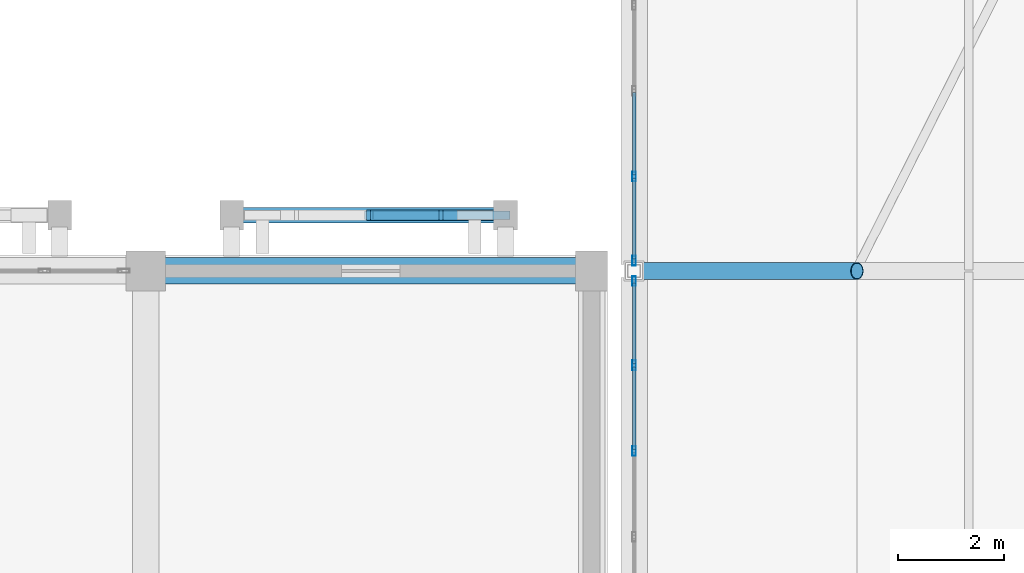
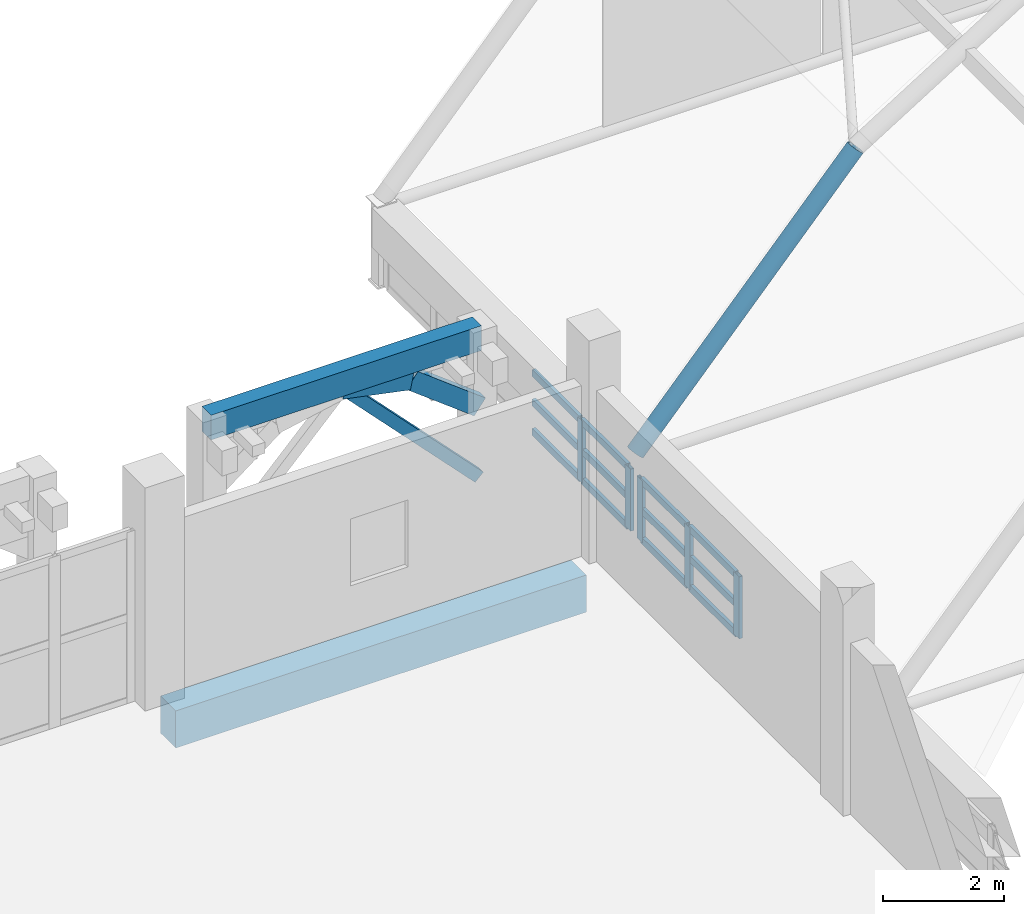
# One storey, part 63 of 114: 20 members, 3 beams, 2 elements without a shape of their own.
"""IFC4 building model written with IfcOpenShell, lengths in metres."""

from ifc_helpers import new_model, si_unit, direction, frame, origin, origin_2d, place, context, subcontext, project, spatial, rectangle, hollow_rectangle, hollow_circle, extrude, material, layer, layer_set, material_profile, profile_set, type_object, element, aggregate, save


model = new_model("IFC4")

# Units and contexts
model_context = context("Model", 3, precision=1e-05, world=origin(), true_north=direction((0.0, 1.0)))
body_context = subcontext(model_context, "Body", "Model", "MODEL_VIEW")
ifc_project = project(units=[si_unit("LENGTHUNIT", "METRE"), si_unit("AREAUNIT", "SQUARE_METRE"), si_unit("VOLUMEUNIT", "CUBIC_METRE"), si_unit("PLANEANGLEUNIT", "RADIAN"), si_unit("MASSUNIT", "GRAM", prefix="KILO")], contexts=[model_context])

# Site, building, storey
site_placement = place(None, origin())
site = spatial("IfcSite", under=ifc_project, at=site_placement, CompositionType="ELEMENT")
building_placement = place(site_placement, origin())
building = spatial("IfcBuilding", under=site, at=building_placement, Name="Xazarin Passage Department Store", CompositionType="ELEMENT")
storey_placement = place(building_placement, frame((0.0, 0.0, 14.39990234375)))
storey = spatial("IfcBuildingStorey", under=building, at=storey_placement, Name="L03", CompositionType="ELEMENT", Elevation=14.39990234375)

# Curtain wall, members
ifc_material_1 = material(Name="Bronze anodised aluminium", Category="aluminium")
ifc_layer = layer(ifc_material_1, 0.159912109375)
ifc_layer_set = layer_set([ifc_layer], Name="Bronze anodised aluminium")
curtain_wall_type = type_object("IfcCurtainWallType", Name="ARC-CW-ARC1", PredefinedType="NOTDEFINED", material=ifc_layer_set)
curtain_wall_1_placement = place(storey_placement, origin())
curtain_wall_1 = element("IfcCurtainWall", 1, at=curtain_wall_1_placement, inside=storey, type_object=curtain_wall_type, Name="L03 V2N Galleria Clerestory Curtain Wall 4W", PredefinedType="NOTDEFINED")
ifc_material_profile_1 = material_profile(ifc_material_1, hollow_rectangle(XDim=0.06494140625, YDim=0.179931640625, WallThickness=0.00390625, at=origin_2d()), Name="ALU 65x180")
ifc_profile_set_1 = profile_set([ifc_material_profile_1], Name="Bronze anodised aluminium")
member_type_1 = type_object("IfcMemberType", Name="ARC-CWM-65x180", PredefinedType="MULLION", material=ifc_profile_set_1)
member_1_placement = place(storey_placement, frame((68.0, 81.407958984375, 0.0), z_axis=(0.0, 0.0, 1.0), x_axis=(-1.0, 0.0, 0.0)))
member_1 = element("IfcMember", 2, at=member_1_placement, type_object=member_type_1, Name="CW3 mullion 4", PredefinedType="MULLION", context=body_context, shape_type="SweptSolid", body=[
    extrude(hollow_rectangle(XDim=0.06494140625, YDim=0.179931640625, WallThickness=0.00390625, at=origin_2d()), origin(), (0.0, 0.0, 1.0), 1.251708984375),
])
member_2_placement = place(storey_placement, frame((68.0, 83.02392578125, 0.0), z_axis=(0.0, 0.0, 1.0), x_axis=(-1.0, 0.0, 0.0)))
member_2 = element("IfcMember", 3, at=member_2_placement, type_object=member_type_1, Name="CW3 mullion 5", PredefinedType="MULLION", context=body_context, shape_type="SweptSolid", body=[
    extrude(hollow_rectangle(XDim=0.06494140625, YDim=0.179931640625, WallThickness=0.00390625, at=origin_2d()), origin(), (0.0, 0.0, 1.0), 1.251708984375),
])
member_3_placement = place(storey_placement, frame((68.0, 84.607421875, 0.0), z_axis=(0.0, 0.0, 1.0), x_axis=(-1.0, 0.0, 0.0)))
member_3 = element("IfcMember", 4, at=member_3_placement, type_object=member_type_1, Name="CW3 mullion 6", PredefinedType="MULLION", context=body_context, shape_type="SweptSolid", body=[
    extrude(hollow_rectangle(XDim=0.06494140625, YDim=0.179931640625, WallThickness=0.00390625, at=origin_2d()), origin(), (0.0, 0.0, 1.0), 1.251708984375),
])

curtain_wall_2_placement = place(storey_placement, origin())
curtain_wall_2 = element("IfcCurtainWall", 5, at=curtain_wall_2_placement, inside=storey, type_object=curtain_wall_type, Name="L03 V2N Galleria Clerestory Curtain Wall 5W", PredefinedType="NOTDEFINED")
member_4_placement = place(storey_placement, frame((68.0, 84.992431640625, 0.0), z_axis=(0.0, 0.0, 1.0), x_axis=(-1.0, 0.0, 0.0)))
member_4 = element("IfcMember", 6, at=member_4_placement, type_object=member_type_1, Name="CW3 mullion 1", PredefinedType="MULLION", context=body_context, shape_type="SweptSolid", body=[
    extrude(hollow_rectangle(XDim=0.06494140625, YDim=0.179931640625, WallThickness=0.00390625, at=origin_2d()), origin(), (0.0, 0.0, 1.0), 1.251708984375),
])
member_5_placement = place(storey_placement, frame((68.0, 86.575927734375, 0.0), z_axis=(0.0, 0.0, 1.0), x_axis=(-1.0, 0.0, 0.0)))
member_5 = element("IfcMember", 7, at=member_5_placement, type_object=member_type_1, Name="CW3 mullion 2", PredefinedType="MULLION", context=body_context, shape_type="SweptSolid", body=[
    extrude(hollow_rectangle(XDim=0.06494140625, YDim=0.179931640625, WallThickness=0.00390625, at=origin_2d()), origin(), (0.0, 0.0, 1.0), 1.251708984375),
])

# Member
ifc_material_profile_2 = material_profile(ifc_material_1, hollow_rectangle(XDim=0.06494140625, YDim=0.139892578125, WallThickness=0.00390625, at=origin_2d()), Name="ALU 65x140")
ifc_profile_set_2 = profile_set([ifc_material_profile_2], Name="Bronze anodised aluminium")
member_type_2 = type_object("IfcMemberType", Name="ARC-CWT-65x140", PredefinedType="USERDEFINED", material=ifc_profile_set_2)
member_6_placement = place(storey_placement, frame((68.0, 81.4404296875, 0.03271484375), z_axis=(0.0, 1.0, 0.0), x_axis=(-1.0, 0.0, 0.0)))
member_6 = element("IfcMember", 8, at=member_6_placement, type_object=member_type_2, Name="CW3 transom 4.1", ObjectType="TRANSOM", PredefinedType="USERDEFINED", context=body_context, shape_type="SweptSolid", body=[
    extrude(hollow_rectangle(XDim=0.06494140625, YDim=0.139892578125, WallThickness=0.00390625, at=origin_2d()), origin(), (0.0, 0.0, 1.0), 1.551025390625),
])

member_7_placement = place(storey_placement, frame((68.0, 81.4404296875, 0.6259765625), z_axis=(0.0, 1.0, 0.0), x_axis=(-1.0, 0.0, 0.0)))
member_7 = element("IfcMember", 9, at=member_7_placement, type_object=member_type_2, Name="CW3 transom 4.2", ObjectType="TRANSOM", PredefinedType="USERDEFINED", context=body_context, shape_type="SweptSolid", body=[
    extrude(hollow_rectangle(XDim=0.06494140625, YDim=0.139892578125, WallThickness=0.00390625, at=origin_2d()), origin(), (0.0, 0.0, 1.0), 1.551025390625),
])

member_8_placement = place(storey_placement, frame((68.0, 81.4404296875, 1.21923828125), z_axis=(0.0, 1.0, 0.0), x_axis=(-1.0, 0.0, 0.0)))
member_8 = element("IfcMember", 10, at=member_8_placement, type_object=member_type_2, Name="CW3 transom 4.3", ObjectType="TRANSOM", PredefinedType="USERDEFINED", context=body_context, shape_type="SweptSolid", body=[
    extrude(hollow_rectangle(XDim=0.06494140625, YDim=0.139892578125, WallThickness=0.00390625, at=origin_2d()), origin(), (0.0, 0.0, 1.0), 1.551025390625),
])

member_9_placement = place(storey_placement, frame((68.0, 83.056396484375, 0.03271484375), z_axis=(0.0, 1.0, 0.0), x_axis=(-1.0, 0.0, 0.0)))
member_9 = element("IfcMember", 11, at=member_9_placement, type_object=member_type_2, Name="CW3 transom 5.1", ObjectType="TRANSOM", PredefinedType="USERDEFINED", context=body_context, shape_type="SweptSolid", body=[
    extrude(hollow_rectangle(XDim=0.06494140625, YDim=0.139892578125, WallThickness=0.00390625, at=origin_2d()), origin(), (0.0, 0.0, 1.0), 1.5185546875),
])

member_10_placement = place(storey_placement, frame((68.0, 83.056396484375, 0.6259765625), z_axis=(0.0, 1.0, 0.0), x_axis=(-1.0, 0.0, 0.0)))
member_10 = element("IfcMember", 12, at=member_10_placement, type_object=member_type_2, Name="CW3 transom 5.2", ObjectType="TRANSOM", PredefinedType="USERDEFINED", context=body_context, shape_type="SweptSolid", body=[
    extrude(hollow_rectangle(XDim=0.06494140625, YDim=0.139892578125, WallThickness=0.00390625, at=origin_2d()), origin(), (0.0, 0.0, 1.0), 1.5185546875),
])

member_11_placement = place(storey_placement, frame((68.0, 83.056396484375, 1.21923828125), z_axis=(0.0, 1.0, 0.0), x_axis=(-1.0, 0.0, 0.0)))
member_11 = element("IfcMember", 13, at=member_11_placement, type_object=member_type_2, Name="CW3 transom 5.3", ObjectType="TRANSOM", PredefinedType="USERDEFINED", context=body_context, shape_type="SweptSolid", body=[
    extrude(hollow_rectangle(XDim=0.06494140625, YDim=0.139892578125, WallThickness=0.00390625, at=origin_2d()), origin(), (0.0, 0.0, 1.0), 1.5185546875),
])

aggregate(curtain_wall_1, [member_1, member_2, member_3, member_6, member_7, member_8, member_9, member_10, member_11])

member_12_placement = place(storey_placement, frame((68.0, 85.02490234375, 0.03271484375), z_axis=(0.0, 1.0, 0.0), x_axis=(-1.0, 0.0, 0.0)))
member_12 = element("IfcMember", 14, at=member_12_placement, type_object=member_type_2, Name="CW3 transom 1.1", ObjectType="TRANSOM", PredefinedType="USERDEFINED", context=body_context, shape_type="SweptSolid", body=[
    extrude(hollow_rectangle(XDim=0.06494140625, YDim=0.139892578125, WallThickness=0.00390625, at=origin_2d()), origin(), (0.0, 0.0, 1.0), 1.5185546875),
])

member_13_placement = place(storey_placement, frame((68.0, 85.02490234375, 0.6259765625), z_axis=(0.0, 1.0, 0.0), x_axis=(-1.0, 0.0, 0.0)))
member_13 = element("IfcMember", 15, at=member_13_placement, type_object=member_type_2, Name="CW3 transom 1.2", ObjectType="TRANSOM", PredefinedType="USERDEFINED", context=body_context, shape_type="SweptSolid", body=[
    extrude(hollow_rectangle(XDim=0.06494140625, YDim=0.139892578125, WallThickness=0.00390625, at=origin_2d()), origin(), (0.0, 0.0, 1.0), 1.5185546875),
])

member_14_placement = place(storey_placement, frame((68.0, 85.02490234375, 1.21923828125), z_axis=(0.0, 1.0, 0.0), x_axis=(-1.0, 0.0, 0.0)))
member_14 = element("IfcMember", 16, at=member_14_placement, type_object=member_type_2, Name="CW3 transom 1.3", ObjectType="TRANSOM", PredefinedType="USERDEFINED", context=body_context, shape_type="SweptSolid", body=[
    extrude(hollow_rectangle(XDim=0.06494140625, YDim=0.139892578125, WallThickness=0.00390625, at=origin_2d()), origin(), (0.0, 0.0, 1.0), 1.5185546875),
])

member_15_placement = place(storey_placement, frame((68.0, 86.6083984375, 0.03271484375), z_axis=(0.0, 1.0, 0.0), x_axis=(-1.0, 0.0, 0.0)))
member_15 = element("IfcMember", 17, at=member_15_placement, type_object=member_type_2, Name="CW3 transom 2.1", ObjectType="TRANSOM", PredefinedType="USERDEFINED", context=body_context, shape_type="SweptSolid", body=[
    extrude(hollow_rectangle(XDim=0.06494140625, YDim=0.139892578125, WallThickness=0.00390625, at=origin_2d()), origin(), (0.0, 0.0, 1.0), 1.551025390625),
])

member_16_placement = place(storey_placement, frame((68.0, 86.6083984375, 0.6259765625), z_axis=(0.0, 1.0, 0.0), x_axis=(-1.0, 0.0, 0.0)))
member_16 = element("IfcMember", 18, at=member_16_placement, type_object=member_type_2, Name="CW3 transom 2.2", ObjectType="TRANSOM", PredefinedType="USERDEFINED", context=body_context, shape_type="SweptSolid", body=[
    extrude(hollow_rectangle(XDim=0.06494140625, YDim=0.139892578125, WallThickness=0.00390625, at=origin_2d()), origin(), (0.0, 0.0, 1.0), 1.551025390625),
])

member_17_placement = place(storey_placement, frame((68.0, 86.6083984375, 1.21923828125), z_axis=(0.0, 1.0, 0.0), x_axis=(-1.0, 0.0, 0.0)))
member_17 = element("IfcMember", 19, at=member_17_placement, type_object=member_type_2, Name="CW3 transom 2.3", ObjectType="TRANSOM", PredefinedType="USERDEFINED", context=body_context, shape_type="SweptSolid", body=[
    extrude(hollow_rectangle(XDim=0.06494140625, YDim=0.139892578125, WallThickness=0.00390625, at=origin_2d()), origin(), (0.0, 0.0, 1.0), 1.551025390625),
])

aggregate(curtain_wall_2, [member_4, member_5, member_12, member_13, member_14, member_15, member_16, member_17])

# Beams
ifc_material_2 = material(Name="Steel S355", Category="steel")
ifc_material_profile_3 = material_profile(ifc_material_2, hollow_circle(Radius=0.161865234375, WallThickness=0.01611328125, at=origin_2d()), Name="CHS 323.9x16")
ifc_profile_set_3 = profile_set([ifc_material_profile_3], Name="Steel S355")
beam_type_1 = type_object("IfcBeamType", Name="STR-BM-AR324", PredefinedType="BEAM", material=ifc_profile_set_3)
beam_1_placement = place(storey_placement, frame((68.0, 84.800048828125, 1.65185546875), z_axis=(0.667891545417, 0.0, 0.74425861336), x_axis=(0.0, 1.0, 0.0)))
element("IfcBeam", 20, at=beam_1_placement, inside=storey, type_object=beam_type_1, Name="V2N Primary Arch Rib 5.1", PredefinedType="BEAM", context=body_context, shape_type="SweptSolid", body=[
    extrude(hollow_circle(Radius=0.161865234375, WallThickness=0.01611328125, at=origin_2d()), origin(), (0.0, 0.0, 1.0), 6.288330078125),
])
ifc_material_3 = material(Name="Concrete C35/45", Category="concrete")
ifc_material_profile_4 = material_profile(ifc_material_3, rectangle(XDim=0.300048828125, YDim=0.5, at=origin_2d()), Name="RC 300x500")
ifc_profile_set_4 = profile_set([ifc_material_profile_4], Name="Concrete C35/45")
beam_type_2 = type_object("IfcBeamType", Name="STR-BM-LN300x500", PredefinedType="LINTEL", material=ifc_profile_set_4)
beam_2_placement = place(storey_placement, frame((60.419921875, 85.85009765625, 4.25), z_axis=(1.0, 0.0, 0.0), x_axis=(0.0, 1.0, 0.0)))
element("IfcBeam", 21, at=beam_2_placement, inside=storey, type_object=beam_type_2, Name="L03 V1 Colonnade Spandrel Beam 007", PredefinedType="LINTEL", context=body_context, shape_type="SweptSolid", body=[
    extrude(rectangle(XDim=0.300048828125, YDim=0.5, at=origin_2d()), origin(), (0.0, 0.0, 1.0), 5.16015625),
])
ifc_material_profile_5 = material_profile(ifc_material_3, rectangle(XDim=0.5, YDim=0.75, at=origin_2d()), Name="RC 500x750")
ifc_profile_set_5 = profile_set([ifc_material_profile_5], Name="Concrete C35/45")
beam_type_3 = type_object("IfcBeamType", Name="STR-BM-SP500x750", PredefinedType="SPANDREL", material=ifc_profile_set_5)
beam_3_placement = place(storey_placement, frame((59.080078125, 84.800048828125, -0.6748046875), z_axis=(1.0, 0.0, 0.0), x_axis=(0.0, 1.0, 0.0)))
element("IfcBeam", 22, at=beam_3_placement, inside=storey, type_object=beam_type_3, Name="L03 Grid Beam M/8-9", PredefinedType="SPANDREL", context=body_context, shape_type="SweptSolid", body=[
    extrude(rectangle(XDim=0.5, YDim=0.75, at=origin_2d()), origin(), (0.0, 0.0, 1.0), 7.83984375),
])

# Members
ifc_material_4 = material(Name="Concrete C40/50", Category="concrete")
ifc_material_profile_6 = material_profile(ifc_material_4, rectangle(XDim=0.199951171875, YDim=0.360107421875, at=origin_2d()), Name="RC 200x360")
ifc_profile_set_6 = profile_set([ifc_material_profile_6], Name="Concrete C40/50")
member_type_3 = type_object("IfcMemberType", Name="STR-MEM-ARC360", PredefinedType="CHORD", material=ifc_profile_set_6)
member_18_placement = place(storey_placement, frame((63.0, 85.85009765625, 4.080078125), z_axis=(0.979744705887, 0.0, -0.200250621188), x_axis=(0.0, 1.0, 0.0)))
element("IfcMember", 23, at=member_18_placement, inside=storey, type_object=member_type_3, Name="L03 V1 Pierced Lattice Curved Arch 007.3", PredefinedType="CHORD", context=body_context, shape_type="SweptSolid", body=[
    extrude(rectangle(XDim=0.199951171875, YDim=0.360107421875, at=origin_2d()), origin(), (0.0, 0.0, 1.0), 1.316650390625),
])
member_19_placement = place(storey_placement, frame((64.2900390625, 85.85009765625, 3.81640625), z_axis=(0.79440903847, 0.0, -0.607383140692), x_axis=(0.0, 1.0, 0.0)))
element("IfcMember", 24, at=member_19_placement, inside=storey, type_object=member_type_3, Name="L03 V1 Pierced Lattice Curved Arch 007.4", PredefinedType="CHORD", context=body_context, shape_type="SweptSolid", body=[
    extrude(rectangle(XDim=0.199951171875, YDim=0.360107421875, at=origin_2d()), origin(), (0.0, 0.0, 1.0), 1.623779296875),
])
ifc_material_profile_7 = material_profile(ifc_material_4, rectangle(XDim=0.159912109375, YDim=0.219970703125, at=origin_2d()), Name="RC 160x220")
ifc_profile_set_7 = profile_set([ifc_material_profile_7], Name="Concrete C40/50")
member_type_4 = type_object("IfcMemberType", Name="STR-MEM-TRC220", PredefinedType="CHORD", material=ifc_profile_set_7)
member_20_placement = place(storey_placement, frame((63.0, 85.85009765625, 4.080078125), z_axis=(0.693558444435, 0.0, -0.720400363793), x_axis=(0.0, 1.0, 0.0)))
element("IfcMember", 25, at=member_20_placement, inside=storey, type_object=member_type_4, Name="L03 V1 Upper Lattice Tracery Arch 007R", PredefinedType="CHORD", context=body_context, shape_type="SweptSolid", body=[
    extrude(rectangle(XDim=0.159912109375, YDim=0.219970703125, at=origin_2d()), origin(), (0.0, 0.0, 1.0), 3.719970703125),
])

save(model, "model.ifc")
